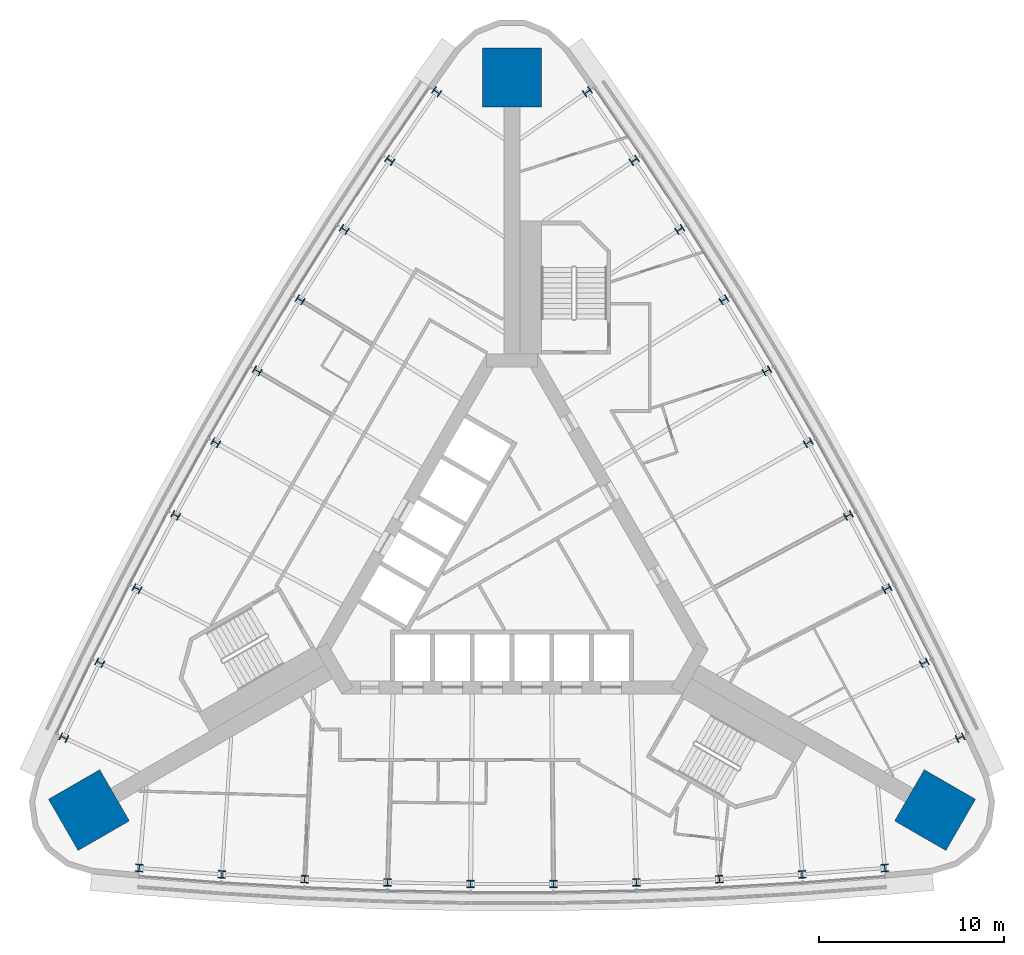
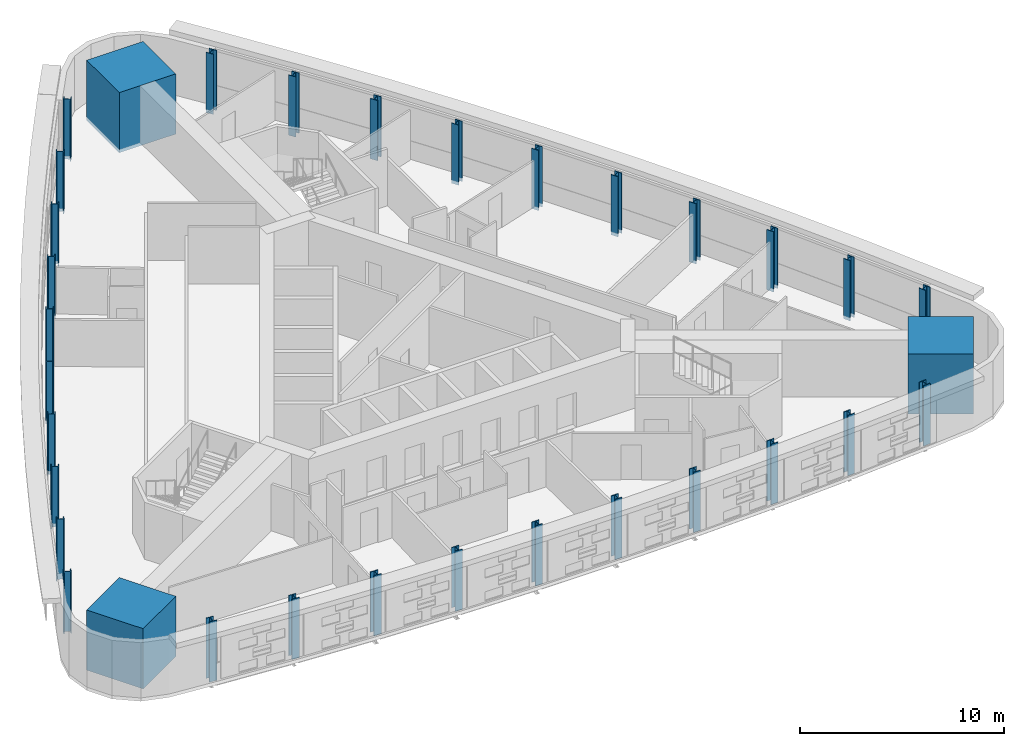
# One storey, part 1 of 14: 33 columns.
"""IFC4 building model written with IfcOpenShell, lengths in metres."""

from ifc_helpers import new_model, si_unit, direction, frame, origin, origin_2d, place, context, subcontext, project, spatial, rectangle, i_section, extrude, material, material_profile, profile_set, type_object, element, save


model = new_model("IFC4")

# Units and contexts
model_context = context("Model", 3, precision=1e-05, world=origin(), true_north=direction((0.0, 1.0)))
body_context = subcontext(model_context, "Body", "Model", "MODEL_VIEW")
ifc_project = project(units=[si_unit("LENGTHUNIT", "METRE"), si_unit("AREAUNIT", "SQUARE_METRE"), si_unit("VOLUMEUNIT", "CUBIC_METRE"), si_unit("PLANEANGLEUNIT", "RADIAN"), si_unit("MASSUNIT", "GRAM", prefix="KILO")], contexts=[model_context])

# Site, building, storey
site_placement = place(None, origin())
site = spatial("IfcSite", under=ifc_project, at=site_placement, CompositionType="ELEMENT")
building_placement = place(site_placement, origin())
building = spatial("IfcBuilding", under=site, at=building_placement, Name="Noor Cloister Tower", CompositionType="ELEMENT")
storey_placement = place(building_placement, frame((0.0, 0.0, 72.60009765625)))
storey = spatial("IfcBuildingStorey", under=building, at=storey_placement, Name="L18", CompositionType="ELEMENT", Elevation=72.60009765625)

# Columns
ifc_material_1 = material(Name="Steel ASTM A992 Gr 50", Category="steel")
ifc_material_profile_1 = material_profile(ifc_material_1, i_section(OverallWidth=0.404052734375, OverallDepth=0.406005859375, WebThickness=0.027099609375, FlangeThickness=0.043701171875, FilletRadius=0.01513671875, at=origin_2d()), Name="W360x347")
ifc_profile_set_1 = profile_set([ifc_material_profile_1], Name="Steel ASTM A992 Gr 50")
column_type_1 = type_object("IfcColumnType", Name="Column W360x347", PredefinedType="COLUMN", material=ifc_profile_set_1)
for number, where, z_axis, x_axis, name in (
    (1, (-4.073486328125, 25.650146484375, -0.2001953125), (0.0, 0.0, 1.0), (-0.573206850439, -0.819410706917, 0.0), "Column NW 01 L18"),
    (2, (-6.611328125, 21.94677734375, -0.2001953125), (0.0, 0.0, 1.0), (-0.557292844924, -0.830316015139, 0.0), "Column NW 02 L18"),
    (3, (-9.076904296875, 18.1953125, -0.2001953125), (0.0, 0.0, 1.0), (-0.541171425422, -0.840912295252, 0.0), "Column NW 03 L18"),
    (4, (-11.469970703125, 14.39697265625, -0.2001953125), (0.0, 0.0, 1.0), (-0.524848592026, -0.851195603518, 0.0), "Column NW 04 L18"),
    (5, (-13.789306640625, 10.55322265625, -0.2001953125), (0.0, 0.0, 1.0), (-0.508330419788, -0.861162112681, 0.0), "Column NW 05 L18"),
    (6, (-16.033935546875, 6.665283203125, -0.2001953125), (0.0, 0.0, 1.0), (-0.491623056465, -0.870808113394, 0.0), "Column NW 06 L18"),
    (7, (-18.203125, 2.73486328125, -0.2001953125), (0.0, 0.0, 1.0), (-0.474732720223, -0.880130015594, 0.0), "Column NW 07 L18"),
    (8, (-20.296142578125, -1.23681640625, -0.2001953125), (0.0, 0.0, 1.0), (-0.457665697332, -0.889124349844, 0.0), "Column NW 08 L18"),
    (9, (-22.31201171875, -5.248046875, -0.2001953125), (0.0, 0.0, 1.0), (-0.440428339818, -0.897787768621, 0.0), "Column NW 09 L18"),
    (10, (-24.25048828125, -9.29736328125, -0.2001953125), (0.0, 0.0, 1.0), (-0.423027063103, -0.906117047562, 0.0), "Column NW 10 L18"),
    (11, (-20.177001953125, -16.352783203125, -0.2001953125), (0.0, 0.0, 1.0), (0.996233913542, -0.086706340645, 0.0), "Column S 01 L18"),
    (12, (-15.700927734375, -16.698974609375, -0.2001953125), (0.0, 0.0, 1.0), (0.997721184742, -0.067471753482, 0.0), "Column S 02 L18"),
    (13, (-11.21923828125, -16.95849609375, -0.2001953125), (0.0, 0.0, 1.0), (0.998837122754, -0.048212054592, 0.0), "Column S 03 L18"),
    (14, (-6.733154296875, -17.1318359375, -0.2001953125), (0.0, 0.0, 1.0), (0.999581312249, -0.028934412076, 0.0), "Column S 04 L18"),
    (15, (-2.24462890625, -17.21826171875, -0.2001953125), (0.0, 0.0, 1.0), (0.999953476253, -0.009646000712, 0.0), "Column S 05 L18"),
    (16, (2.24462890625, -17.21826171875, -0.2001953125), (0.0, 0.0, 1.0), (0.999953476253, 0.009646000712, 0.0), "Column S 06 L18"),
    (17, (6.733154296875, -17.1318359375, -0.2001953125), (0.0, 0.0, 1.0), (0.999581312249, 0.028934412076, 0.0), "Column S 07 L18"),
    (18, (11.21923828125, -16.95849609375, -0.2001953125), (0.0, 0.0, 1.0), (0.998837122754, 0.048212054592, 0.0), "Column S 08 L18"),
    (19, (15.700927734375, -16.698974609375, -0.2001953125), (0.0, 0.0, 1.0), (0.997721184742, 0.067471753482, 0.0), "Column S 09 L18"),
    (20, (20.177001953125, -16.352783203125, -0.2001953125), (0.0, 0.0, 1.0), (0.996233913542, 0.086706340645, 0.0), "Column S 10 L18"),
    (21, (24.25048828125, -9.29736328125, -0.2001953125), (0.0, 0.0, 1.0), (-0.423027063103, 0.906117047562, 0.0), "Column NE 01 L18"),
    (22, (22.31201171875, -5.248046875, -0.2001953125), (0.0, 0.0, 1.0), (-0.440428339818, 0.897787768621, 0.0), "Column NE 02 L18"),
    (23, (20.296142578125, -1.23681640625, -0.2001953125), (0.0, 0.0, 1.0), (-0.457665697332, 0.889124349844, 0.0), "Column NE 03 L18"),
    (24, (18.203125, 2.73486328125, -0.2001953125), (0.0, 0.0, 1.0), (-0.474732720223, 0.880130015594, 0.0), "Column NE 04 L18"),
    (25, (16.033935546875, 6.665283203125, -0.2001953125), (0.0, 0.0, 1.0), (-0.491623056465, 0.870808113394, 0.0), "Column NE 05 L18"),
    (26, (13.789306640625, 10.55322265625, -0.2001953125), (0.0, 0.0, 1.0), (-0.508330419788, 0.861162112681, 0.0), "Column NE 06 L18"),
    (27, (11.469970703125, 14.39697265625, -0.2001953125), (0.0, 0.0, 1.0), (-0.524848592026, 0.851195603518, 0.0), "Column NE 07 L18"),
    (28, (9.076904296875, 18.1953125, -0.2001953125), (0.0, 0.0, 1.0), (-0.541171425422, 0.840912295252, 0.0), "Column NE 08 L18"),
    (29, (6.611328125, 21.94677734375, -0.2001953125), (0.0, 0.0, 1.0), (-0.557292844924, 0.830316015139, 0.0), "Column NE 09 L18"),
    (30, (4.073486328125, 25.650146484375, -0.2001953125), (0.0, 0.0, 1.0), (-0.573206850439, 0.819410706917, 0.0), "Column NE 10 L18"),
):
    element("IfcColumn", number, at=place(storey_placement, frame(where, z_axis=z_axis, x_axis=x_axis)), inside=storey, type_object=column_type_1, Name=name, PredefinedType="COLUMN", context=body_context, shape_type="SweptSolid", body=[
        extrude(i_section(OverallWidth=0.404052734375, OverallDepth=0.406005859375, WebThickness=0.027099609375, FlangeThickness=0.043701171875, FilletRadius=0.01513671875, at=origin_2d()), origin(), (0.0, 0.0, 1.0), 3.60009765625),
    ])
ifc_material_2 = material(Name="Concrete C80/95", Category="concrete")
ifc_material_profile_2 = material_profile(ifc_material_2, rectangle(XDim=3.199951171875, YDim=3.199951171875, at=origin_2d()), Name="RC 3200x3200")
ifc_profile_set_2 = profile_set([ifc_material_profile_2], Name="Concrete C80/95")
column_type_2 = type_object("IfcColumnType", Name="Corner pier 3200 x 3200 C80/95", PredefinedType="COLUMN", material=ifc_profile_set_2)
for number, where, z_axis, x_axis, name in (
    (31, (0.0, 26.43798828125, -0.2001953125), (0.0, 0.0, 1.0), (0.0, 1.0, 0.0), "Corner pier N L18"),
    (32, (-22.89599609375, -13.218994140625, -0.2001953125), (0.0, 0.0, 1.0), (-0.866025403784, -0.5, 0.0), "Corner pier SW L18"),
    (33, (22.89599609375, -13.218994140625, -0.2001953125), (0.0, 0.0, 1.0), (0.866025403784, -0.5, 0.0), "Corner pier SE L18"),
):
    element("IfcColumn", number, at=place(storey_placement, frame(where, z_axis=z_axis, x_axis=x_axis)), inside=storey, type_object=column_type_2, Name=name, PredefinedType="COLUMN", context=body_context, shape_type="SweptSolid", body=[
        extrude(rectangle(XDim=3.199951171875, YDim=3.199951171875, at=origin_2d()), origin(), (0.0, 0.0, 1.0), 3.60009765625),
    ])

save(model, "model.ifc")
